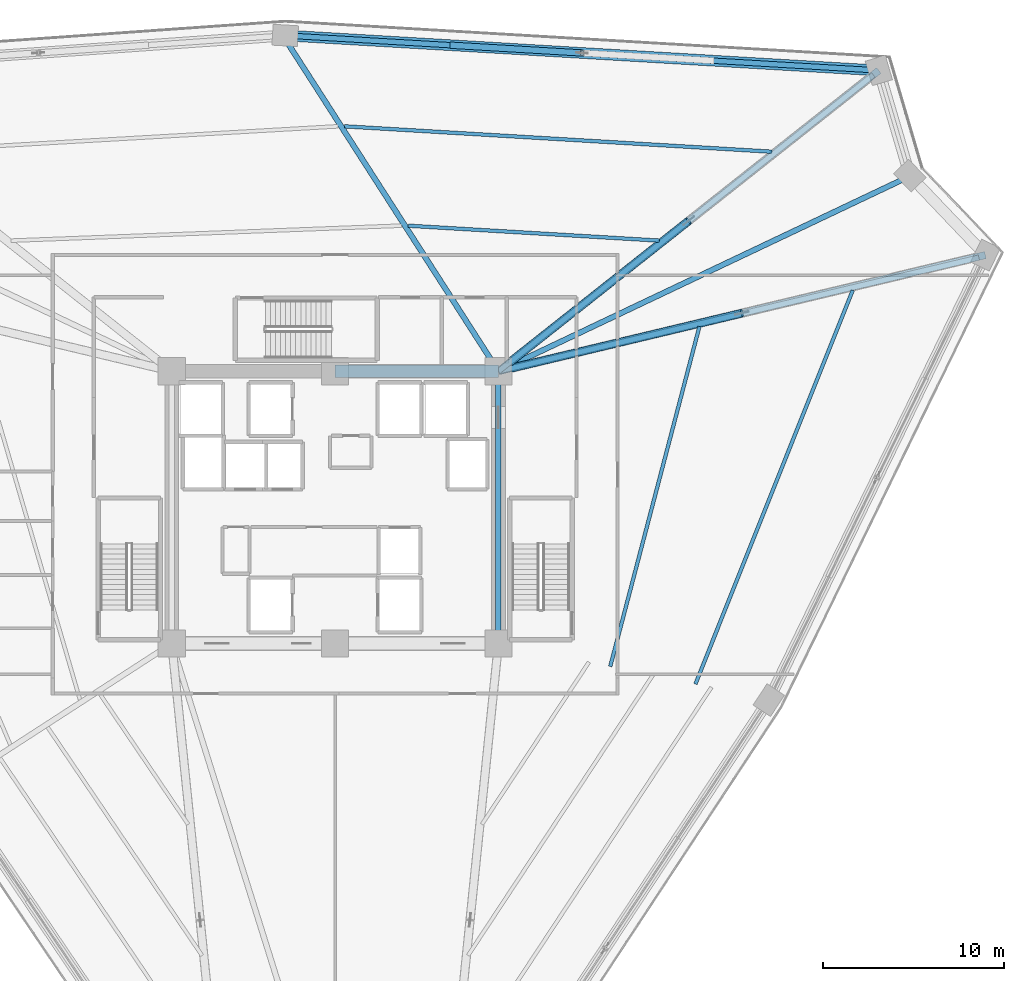
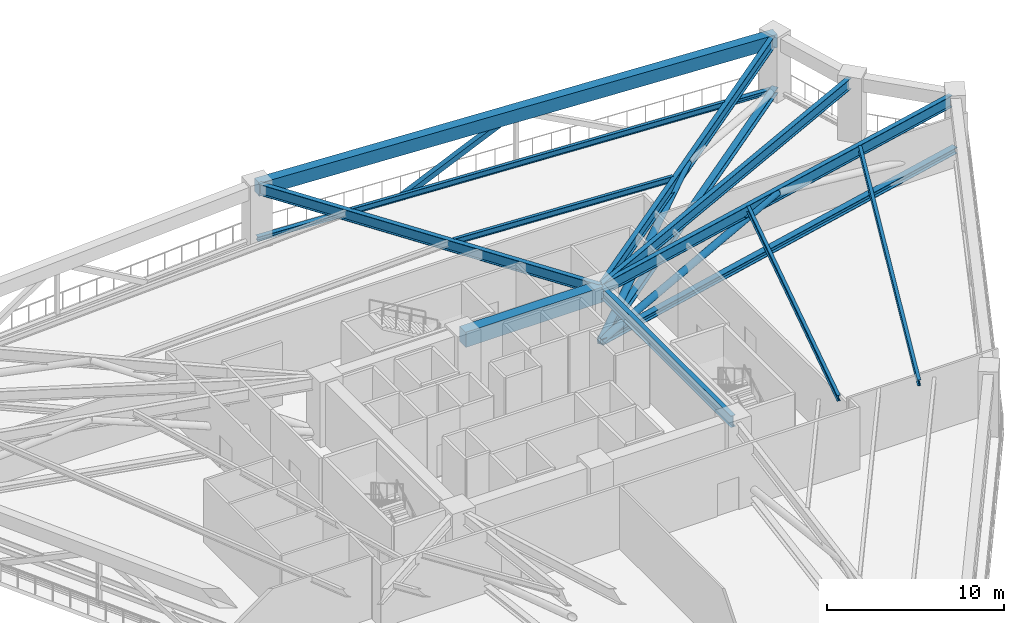
# One storey, part 8 of 23: 11 beams, 6 members.
"""IFC4 building model written with IfcOpenShell, lengths in metres."""

from ifc_helpers import new_model, si_unit, direction, frame, origin, origin_2d, place, context, subcontext, project, spatial, rectangle, hollow_rectangle, hollow_circle, i_section, extrude, source, transform, mapped, material, material_profile, profile_set, type_object, element, save


model = new_model("IFC4")

# Units and contexts
model_context = context("Model", 3, precision=1e-05, world=origin(), true_north=direction((0.0, 1.0)))
body_context = subcontext(model_context, "Body", "Model", "MODEL_VIEW")
ifc_project = project(units=[si_unit("LENGTHUNIT", "METRE"), si_unit("AREAUNIT", "SQUARE_METRE"), si_unit("VOLUMEUNIT", "CUBIC_METRE"), si_unit("PLANEANGLEUNIT", "RADIAN"), si_unit("MASSUNIT", "GRAM", prefix="KILO")], contexts=[model_context])

# Site, building, storey
site_placement = place(None, origin())
site = spatial("IfcSite", under=ifc_project, at=site_placement, CompositionType="ELEMENT")
building_placement = place(site_placement, origin())
building = spatial("IfcBuilding", under=site, at=building_placement, Name="Liaohun Quay Tower", CompositionType="ELEMENT")
storey_placement = place(building_placement, frame((0.0, 0.0, 139.5)))
storey = spatial("IfcBuildingStorey", under=building, at=storey_placement, Name="L36", CompositionType="ELEMENT", Elevation=139.5)

# Beams
ifc_material_1 = material(Name="Concrete C60", Category="concrete")
ifc_material_profile_1 = material_profile(ifc_material_1, rectangle(XDim=0.699951171875, YDim=1.050048828125, at=origin_2d()), Name="RC700x1050")
ifc_profile_set_1 = profile_set([ifc_material_profile_1], Name="Concrete C60")
beam_type_1 = type_object("IfcBeamType", Name="BM-CPL-1", PredefinedType="LINTEL", material=ifc_profile_set_1)
shared_shape_1 = source(origin(), body_context, "Body", "SweptSolid", [
    extrude(rectangle(XDim=0.699951171875, YDim=1.050048828125, at=origin_2d()), origin(), (0.0, 0.0, 1.0), 9.0),
])
beam_1_placement = place(storey_placement, frame((69.0, 61.5, 3.794921875), z_axis=(-1.0, 0.0, 0.0), x_axis=(0.0, -1.0, 0.0)))
element("IfcBeam", 1, at=beam_1_placement, inside=storey, type_object=beam_type_1, Name="L36 Core Coupling/Ring Beam CC4-CC5", PredefinedType="LINTEL", context=body_context, shape_type="MappedRepresentation", body=[
    mapped(shared_shape_1, transform((0.0, 0.0, 0.0), x_axis=(1.0, 0.0, 0.0), y_axis=(0.0, 1.0, 0.0), z_axis=(0.0, 0.0, 1.0), scale=1.0)),
])
ifc_material_2 = material(Name="Steel Q355D", Category="steel")
ifc_material_profile_2 = material_profile(ifc_material_2, i_section(OverallWidth=0.300048828125, OverallDepth=0.800048828125, WebThickness=0.013916015625, FlangeThickness=0.02587890625, at=origin_2d()), Name="HN800x300x14x26")
ifc_profile_set_2 = profile_set([ifc_material_profile_2], Name="Steel Q355D")
beam_type_2 = type_object("IfcBeamType", Name="BM-RAD-M1", PredefinedType="BEAM", material=ifc_profile_set_2)
shared_shape_2 = source(origin(), body_context, "Body", "SweptSolid", [
    extrude(i_section(OverallWidth=0.300048828125, OverallDepth=0.800048828125, WebThickness=0.013916015625, FlangeThickness=0.02587890625, at=origin_2d()), origin(), (0.0, 0.0, 1.0), 15.0),
])
beam_2_placement = place(storey_placement, frame((69.0, 46.5, 3.919921875), z_axis=(0.0, 1.0, 0.0), x_axis=(-1.0, 0.0, 0.0)))
element("IfcBeam", 2, at=beam_2_placement, inside=storey, type_object=beam_type_2, Name="L36 Core Coupling/Ring Beam CC3-CC4", PredefinedType="BEAM", context=body_context, shape_type="MappedRepresentation", body=[
    mapped(shared_shape_2, transform((0.0, 0.0, 0.0), x_axis=(1.0, 0.0, 0.0), y_axis=(0.0, 1.0, 0.0), z_axis=(0.0, 0.0, 1.0), scale=1.0)),
])
ifc_material_3 = material(Name="Precast concrete C55", Category="concrete")
ifc_material_profile_3 = material_profile(ifc_material_3, rectangle(XDim=0.60009765625, YDim=0.89990234375, at=origin_2d()), Name="RC600x900")
ifc_profile_set_3 = profile_set([ifc_material_profile_3], Name="Precast concrete C55")
beam_type_3 = type_object("IfcBeamType", Name="BM-SPD-Z2", PredefinedType="SPANDREL", material=ifc_profile_set_3)
shared_shape_3 = source(origin(), body_context, "Body", "SweptSolid", [
    extrude(rectangle(XDim=0.60009765625, YDim=0.89990234375, at=origin_2d()), origin(), (0.0, 0.0, 1.0), 32.766845703125),
])
beam_3_placement = place(storey_placement, frame((57.25, 80.00390625, 3.8701171875), z_axis=(0.998265703915, -0.058869214261, 0.0), x_axis=(0.058869214261, 0.998265703915, 0.0)))
element("IfcBeam", 3, at=beam_3_placement, inside=storey, type_object=beam_type_3, Name="L36 Precast Spandrel Beam PC06-PC07", PredefinedType="SPANDREL", context=body_context, shape_type="MappedRepresentation", body=[
    mapped(shared_shape_3, transform((0.0, 0.0, 0.0), x_axis=(1.0, 0.0, 0.0), y_axis=(0.0, 1.0, 0.0), z_axis=(0.0, 0.0, 1.0), scale=1.0)),
])
ifc_material_profile_4 = material_profile(ifc_material_2, i_section(OverallWidth=0.300048828125, OverallDepth=0.75, WebThickness=0.013916015625, FlangeThickness=0.02587890625, at=origin_2d()), Name="HN750x300x14x26")
ifc_profile_set_4 = profile_set([ifc_material_profile_4], Name="Steel Q355D")
beam_type_4 = type_object("IfcBeamType", Name="BM-RAD-M2", PredefinedType="BEAM", material=ifc_profile_set_4)
shared_shape_4 = source(origin(), body_context, "Body", "SweptSolid", [
    extrude(i_section(OverallWidth=0.300048828125, OverallDepth=0.75, WebThickness=0.013916015625, FlangeThickness=0.02587890625, at=origin_2d()), origin(), (0.0, 0.0, 1.0), 24.73388671875),
])
beam_4_placement = place(storey_placement, frame((69.0, 61.5, 3.945068359375), z_axis=(0.903530113881, 0.428524600588, 0.0), x_axis=(-0.428524600588, 0.903530113881, 0.0)))
element("IfcBeam", 4, at=beam_4_placement, inside=storey, type_object=beam_type_4, Name="L36 Radial Primary Girder CC4-PC08", PredefinedType="BEAM", context=body_context, shape_type="MappedRepresentation", body=[
    mapped(shared_shape_4, transform((0.0, 0.0, 0.0), x_axis=(1.0, 0.0, 0.0), y_axis=(0.0, 1.0, 0.0), z_axis=(0.0, 0.0, 1.0), scale=1.0)),
])
shared_shape_5 = source(origin(), body_context, "Body", "SweptSolid", [
    extrude(i_section(OverallWidth=0.300048828125, OverallDepth=0.75, WebThickness=0.013916015625, FlangeThickness=0.02587890625, at=origin_2d()), origin(), (0.0, 0.0, 1.0), 21.693603515625),
])
beam_5_placement = place(storey_placement, frame((69.0, 61.5, 3.945068359375), z_axis=(-0.540342302575, 0.841445301875, 0.0), x_axis=(-0.841445301875, -0.540342302575, 0.0)))
element("IfcBeam", 5, at=beam_5_placement, inside=storey, type_object=beam_type_4, Name="L36 Radial Primary Girder CC4-PC06", PredefinedType="BEAM", context=body_context, shape_type="MappedRepresentation", body=[
    mapped(shared_shape_5, transform((0.0, 0.0, 0.0), x_axis=(1.0, 0.0, 0.0), y_axis=(0.0, 1.0, 0.0), z_axis=(0.0, 0.0, 1.0), scale=1.0)),
])
shared_shape_6 = source(origin(), body_context, "Body", "SweptSolid", [
    extrude(i_section(OverallWidth=0.300048828125, OverallDepth=0.800048828125, WebThickness=0.013916015625, FlangeThickness=0.02587890625, at=origin_2d()), origin(), (0.0, 0.0, 1.0), 26.3330078125),
])
beam_6_placement = place(storey_placement, frame((69.0, 61.5, 3.919921875), z_axis=(0.784491743052, 0.620139262652, 0.0), x_axis=(-0.620139262652, 0.784491743052, 0.0)))
element("IfcBeam", 6, at=beam_6_placement, inside=storey, type_object=beam_type_2, Name="L36 Radial Primary Girder CC4-PC07", PredefinedType="BEAM", context=body_context, shape_type="MappedRepresentation", body=[
    mapped(shared_shape_6, transform((0.0, 0.0, 0.0), x_axis=(1.0, 0.0, 0.0), y_axis=(0.0, 1.0, 0.0), z_axis=(0.0, 0.0, 1.0), scale=1.0)),
])
shared_shape_7 = source(origin(), body_context, "Body", "SweptSolid", [
    extrude(i_section(OverallWidth=0.300048828125, OverallDepth=0.800048828125, WebThickness=0.013916015625, FlangeThickness=0.02587890625, at=origin_2d()), origin(), (0.0, 0.0, 1.0), 27.202880859375),
])
beam_7_placement = place(storey_placement, frame((69.0, 61.5, 3.919921875), z_axis=(0.97312767146, 0.23026622644, 0.0), x_axis=(-0.23026622644, 0.97312767146, 0.0)))
element("IfcBeam", 7, at=beam_7_placement, inside=storey, type_object=beam_type_2, Name="L36 Radial Primary Girder CC4-PC09", PredefinedType="BEAM", context=body_context, shape_type="MappedRepresentation", body=[
    mapped(shared_shape_7, transform((0.0, 0.0, 0.0), x_axis=(1.0, 0.0, 0.0), y_axis=(0.0, 1.0, 0.0), z_axis=(0.0, 0.0, 1.0), scale=1.0)),
])
ifc_material_profile_5 = material_profile(ifc_material_2, i_section(OverallWidth=0.199951171875, OverallDepth=0.39990234375, WebThickness=0.008056640625, FlangeThickness=0.012939453125, at=origin_2d()), Name="HN400x200x8x13")
ifc_profile_set_5 = profile_set([ifc_material_profile_5], Name="Steel Q355D")
beam_type_5 = type_object("IfcBeamType", Name="BM-SEC-J2", PredefinedType="JOIST", material=ifc_profile_set_5)
shared_shape_8 = source(origin(), body_context, "Body", "SweptSolid", [
    extrude(i_section(OverallWidth=0.199951171875, OverallDepth=0.39990234375, WebThickness=0.008056640625, FlangeThickness=0.012939453125, at=origin_2d()), origin(), (0.0, 0.0, 1.0), 13.861328125),
])
beam_8_placement = place(storey_placement, frame((64.028076171875, 69.52099609375, 4.1201171875), z_axis=(0.998240010226, -0.059303305004, 0.0), x_axis=(0.059303305004, 0.998240010226, 0.0)))
element("IfcBeam", 8, at=beam_8_placement, inside=storey, type_object=beam_type_5, Name="L36 Wing Secondary Floor Joist SJ-08", PredefinedType="JOIST", context=body_context, shape_type="MappedRepresentation", body=[
    mapped(shared_shape_8, transform((0.0, 0.0, 0.0), x_axis=(1.0, 0.0, 0.0), y_axis=(0.0, 1.0, 0.0), z_axis=(0.0, 0.0, 1.0), scale=1.0)),
])
shared_shape_9 = source(origin(), body_context, "Body", "SweptSolid", [
    extrude(i_section(OverallWidth=0.199951171875, OverallDepth=0.39990234375, WebThickness=0.008056640625, FlangeThickness=0.012939453125, at=origin_2d()), origin(), (0.0, 0.0, 1.0), 23.592529296875),
])
beam_9_placement = place(storey_placement, frame((60.510986328125, 74.9970703125, 4.1201171875), z_axis=(0.998239875102, -0.059305579477, 0.0), x_axis=(0.059305579477, 0.998239875102, 0.0)))
element("IfcBeam", 9, at=beam_9_placement, inside=storey, type_object=beam_type_5, Name="L36 Wing Secondary Floor Joist SJ-09", PredefinedType="JOIST", context=body_context, shape_type="MappedRepresentation", body=[
    mapped(shared_shape_9, transform((0.0, 0.0, 0.0), x_axis=(1.0, 0.0, 0.0), y_axis=(0.0, 1.0, 0.0), z_axis=(0.0, 0.0, 1.0), scale=1.0)),
])
shared_shape_10 = source(origin(), body_context, "Body", "SweptSolid", [
    extrude(i_section(OverallWidth=0.199951171875, OverallDepth=0.39990234375, WebThickness=0.008056640625, FlangeThickness=0.012939453125, at=origin_2d()), origin(), (0.0, 0.0, 1.0), 19.369140625),
])
beam_10_placement = place(storey_placement, frame((80.074951171875, 63.967041015625, 4.1201171875), z_axis=(-0.253756767921, -0.967268061467, 0.0), x_axis=(0.967268061467, -0.253756767921, 0.0)))
element("IfcBeam", 10, at=beam_10_placement, inside=storey, type_object=beam_type_5, Name="L36 Wing Secondary Floor Joist SJ-10", PredefinedType="JOIST", context=body_context, shape_type="MappedRepresentation", body=[
    mapped(shared_shape_10, transform((0.0, 0.0, 0.0), x_axis=(1.0, 0.0, 0.0), y_axis=(0.0, 1.0, 0.0), z_axis=(0.0, 0.0, 1.0), scale=1.0)),
])
shared_shape_11 = source(origin(), body_context, "Body", "SweptSolid", [
    extrude(i_section(OverallWidth=0.199951171875, OverallDepth=0.39990234375, WebThickness=0.008056640625, FlangeThickness=0.012939453125, at=origin_2d()), origin(), (0.0, 0.0, 1.0), 23.3662109375),
])
beam_11_placement = place(storey_placement, frame((88.52099609375, 65.965087890625, 4.1201171875), z_axis=(-0.370961889876, -0.928648090646, 0.0), x_axis=(0.928648090646, -0.370961889876, 0.0)))
element("IfcBeam", 11, at=beam_11_placement, inside=storey, type_object=beam_type_5, Name="L36 Wing Secondary Floor Joist SJ-11", PredefinedType="JOIST", context=body_context, shape_type="MappedRepresentation", body=[
    mapped(shared_shape_11, transform((0.0, 0.0, 0.0), x_axis=(1.0, 0.0, 0.0), y_axis=(0.0, 1.0, 0.0), z_axis=(0.0, 0.0, 1.0), scale=1.0)),
])

# Members
ifc_material_4 = material(Name="Steel Q420D", Category="steel")
ifc_material_profile_6 = material_profile(ifc_material_4, i_section(OverallWidth=0.405029296875, OverallDepth=0.4140625, WebThickness=0.01806640625, FlangeThickness=0.028076171875, at=origin_2d()), Name="HW414x405x18x28")
ifc_profile_set_6 = profile_set([ifc_material_profile_6], Name="Steel Q420D")
member_type_1 = type_object("IfcMemberType", Name="MEM-OUT-CHD", PredefinedType="CHORD", material=ifc_profile_set_6)
shared_shape_12 = source(origin(), body_context, "Body", "SweptSolid", [
    extrude(i_section(OverallWidth=0.405029296875, OverallDepth=0.4140625, WebThickness=0.01806640625, FlangeThickness=0.028076171875, at=origin_2d()), origin(), (0.0, 0.0, 1.0), 26.7216796875),
])
member_1_placement = place(storey_placement, frame((69.0, 61.5, 0.35009765625), z_axis=(0.784379926312, 0.62028068743, 0.0), x_axis=(-0.62028068743, 0.784379926312, 0.0)))
element("IfcMember", 12, at=member_1_placement, inside=storey, type_object=member_type_1, Name="L36 Outrigger Bottom Chord OC-04", PredefinedType="CHORD", context=body_context, shape_type="MappedRepresentation", body=[
    mapped(shared_shape_12, transform((0.0, 0.0, 0.0), x_axis=(1.0, 0.0, 0.0), y_axis=(0.0, 1.0, 0.0), z_axis=(0.0, 0.0, 1.0), scale=1.0)),
])
ifc_material_profile_7 = material_profile(ifc_material_4, hollow_circle(Radius=0.228515625, WallThickness=0.02001953125, at=origin_2d()), Name="CHS457x20")
ifc_profile_set_7 = profile_set([ifc_material_profile_7], Name="Steel Q420D")
member_type_2 = type_object("IfcMemberType", Name="MEM-OUT-DG1", PredefinedType="BRACE", material=ifc_profile_set_7)
shared_shape_13 = source(origin(), body_context, "Body", "SweptSolid", [
    extrude(hollow_circle(Radius=0.228515625, WallThickness=0.02001953125, at=origin_2d()), origin(), (0.0, 0.0, 1.0), 13.85546875),
])
member_2_placement = place(storey_placement, frame((69.0, 61.5, 0.35009765625), z_axis=(0.75637767496, 0.598110324718, 0.264871388203), x_axis=(-0.620263823402, 0.784393261941, 0.0)))
element("IfcMember", 13, at=member_2_placement, inside=storey, type_object=member_type_2, Name="L36 Outrigger Diagonal OD-04A", PredefinedType="BRACE", context=body_context, shape_type="MappedRepresentation", body=[
    mapped(shared_shape_13, transform((0.0, 0.0, 0.0), x_axis=(1.0, 0.0, 0.0), y_axis=(0.0, 1.0, 0.0), z_axis=(0.0, 0.0, 1.0), scale=1.0)),
])
shared_shape_14 = source(origin(), body_context, "Body", "SweptSolid", [
    extrude(i_section(OverallWidth=0.405029296875, OverallDepth=0.4140625, WebThickness=0.01806640625, FlangeThickness=0.028076171875, at=origin_2d()), origin(), (0.0, 0.0, 1.0), 27.58740234375),
])
member_3_placement = place(storey_placement, frame((69.0, 61.5, 0.35009765625), z_axis=(0.972691485896, 0.232101859675, 0.0), x_axis=(-0.232101859675, 0.972691485896, 0.0)))
element("IfcMember", 14, at=member_3_placement, inside=storey, type_object=member_type_1, Name="L36 Outrigger Bottom Chord OC-05", PredefinedType="CHORD", context=body_context, shape_type="MappedRepresentation", body=[
    mapped(shared_shape_14, transform((0.0, 0.0, 0.0), x_axis=(1.0, 0.0, 0.0), y_axis=(0.0, 1.0, 0.0), z_axis=(0.0, 0.0, 1.0), scale=1.0)),
])
shared_shape_15 = source(origin(), body_context, "Body", "SweptSolid", [
    extrude(hollow_circle(Radius=0.228515625, WallThickness=0.02001953125, at=origin_2d()), origin(), (0.0, 0.0, 1.0), 14.273681640625),
])
member_4_placement = place(storey_placement, frame((69.0, 61.5, 0.35009765625), z_axis=(0.9399853158, 0.224323229797, 0.257112221907), x_axis=(-0.232126978393, 0.972685491771, 0.0)))
element("IfcMember", 15, at=member_4_placement, inside=storey, type_object=member_type_2, Name="L36 Outrigger Diagonal OD-05A", PredefinedType="BRACE", context=body_context, shape_type="MappedRepresentation", body=[
    mapped(shared_shape_15, transform((0.0, 0.0, 0.0), x_axis=(1.0, 0.0, 0.0), y_axis=(0.0, 1.0, 0.0), z_axis=(0.0, 0.0, 1.0), scale=1.0)),
])
ifc_material_profile_8 = material_profile(ifc_material_2, hollow_rectangle(XDim=0.35009765625, YDim=0.35009765625, WallThickness=0.01611328125, at=origin_2d()), Name="SHS350x350x16")
ifc_profile_set_8 = profile_set([ifc_material_profile_8], Name="Steel Q355D")
member_type_3 = type_object("IfcMemberType", Name="MEM-BLT-DG2", PredefinedType="BRACE", material=ifc_profile_set_8)
shared_shape_16 = source(origin(), body_context, "Body", "SweptSolid", [
    extrude(hollow_rectangle(XDim=0.35009765625, YDim=0.35009765625, WallThickness=0.01611328125, at=origin_2d()), origin(), (0.0, 0.0, 1.0), 8.0888671875),
])
member_5_placement = place(storey_placement, frame((66.408935546875, 79.464111328125, 0.35009765625), z_axis=(0.889613440338, -0.052426074499, 0.453695309081), x_axis=(0.058829232292, 0.998268060907, 0.0)))
element("IfcMember", 16, at=member_5_placement, inside=storey, type_object=member_type_3, Name="L36 Belt Truss Diagonal BD-04A", PredefinedType="BRACE", context=body_context, shape_type="MappedRepresentation", body=[
    mapped(shared_shape_16, transform((0.0, 0.0, 0.0), x_axis=(1.0, 0.0, 0.0), y_axis=(0.0, 1.0, 0.0), z_axis=(0.0, 0.0, 1.0), scale=1.0)),
])
ifc_material_profile_9 = material_profile(ifc_material_2, i_section(OverallWidth=0.300048828125, OverallDepth=0.300048828125, WebThickness=0.010009765625, FlangeThickness=0.014892578125, at=origin_2d()), Name="HW300x300x10x15")
ifc_profile_set_9 = profile_set([ifc_material_profile_9], Name="Steel Q355D")
member_type_4 = type_object("IfcMemberType", Name="MEM-BLT-CHD", PredefinedType="CHORD", material=ifc_profile_set_9)
shared_shape_17 = source(origin(), body_context, "Body", "SweptSolid", [
    extrude(i_section(OverallWidth=0.300048828125, OverallDepth=0.300048828125, WebThickness=0.010009765625, FlangeThickness=0.014892578125, at=origin_2d()), origin(), (0.0, 0.0, 1.0), 32.766845703125),
])
member_6_placement = place(storey_placement, frame((57.25, 80.00390625, 0.35009765625), z_axis=(0.998265703915, -0.058869214261, 0.0), x_axis=(0.058869214261, 0.998265703915, 0.0)))
element("IfcMember", 17, at=member_6_placement, inside=storey, type_object=member_type_4, Name="L36 Belt Truss Bottom Chord BC-1-04", PredefinedType="CHORD", context=body_context, shape_type="MappedRepresentation", body=[
    mapped(shared_shape_17, transform((0.0, 0.0, 0.0), x_axis=(1.0, 0.0, 0.0), y_axis=(0.0, 1.0, 0.0), z_axis=(0.0, 0.0, 1.0), scale=1.0)),
])

save(model, "model.ifc")
